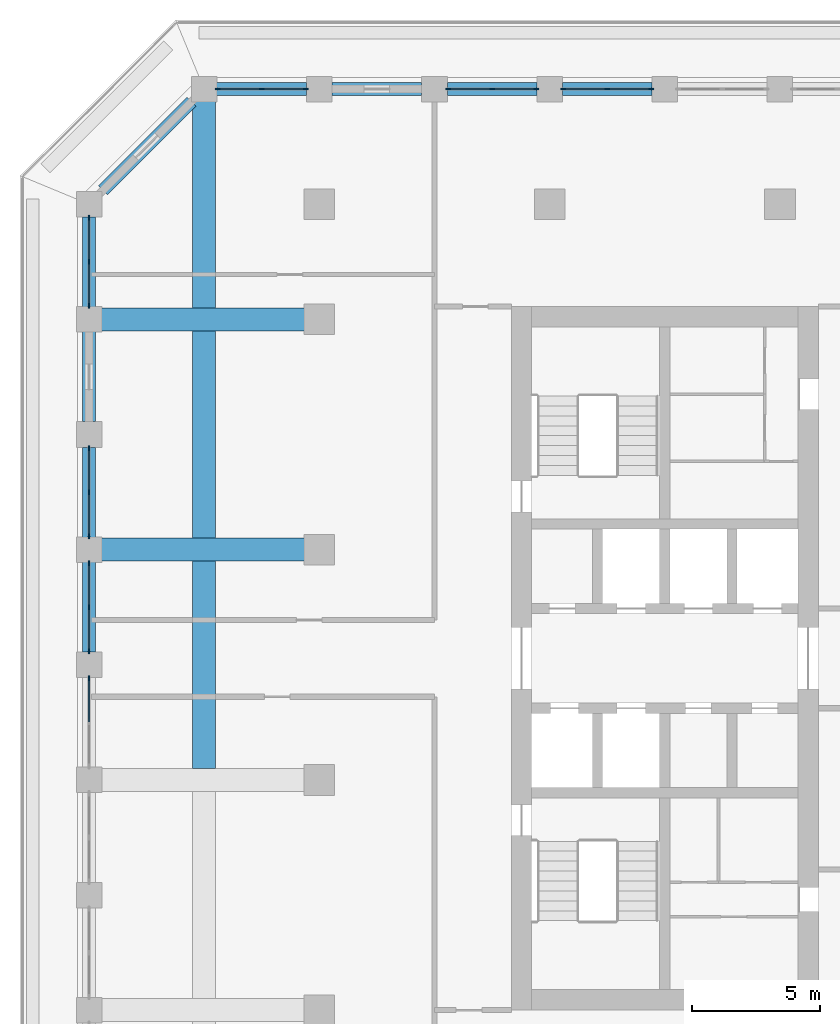
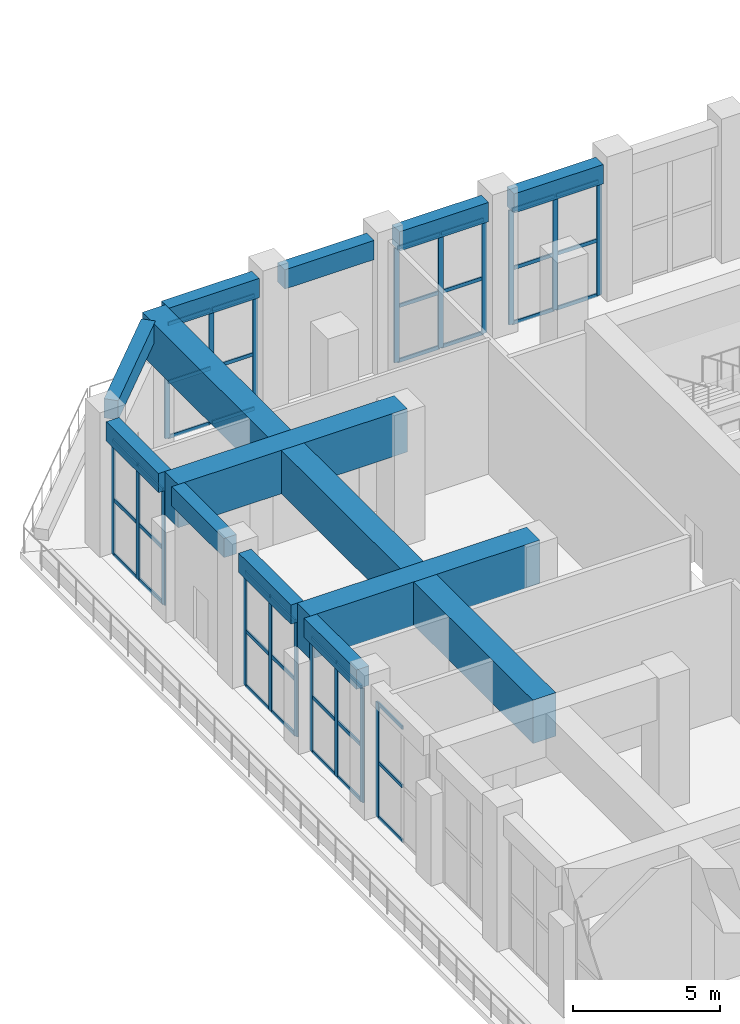
# One storey, part 6 of 25: 58 members, 14 beams, 7 elements without a shape of their own.
"""IFC4 building model written with IfcOpenShell, lengths in metres."""

from ifc_helpers import new_model, si_unit, direction, frame, origin, origin_2d, place, context, subcontext, project, spatial, rectangle, extrude, material, material_profile, profile_set, type_object, element, aggregate, save


model = new_model("IFC4")

# Units and contexts
model_context = context("Model", 3, precision=1e-05, world=origin(), true_north=direction((0.0, 1.0)))
body_context = subcontext(model_context, "Body", "Model", "MODEL_VIEW")
ifc_project = project(units=[si_unit("LENGTHUNIT", "METRE"), si_unit("AREAUNIT", "SQUARE_METRE"), si_unit("VOLUMEUNIT", "CUBIC_METRE"), si_unit("PLANEANGLEUNIT", "RADIAN"), si_unit("MASSUNIT", "GRAM", prefix="KILO")], contexts=[model_context])

# Site, building, storey
site_placement = place(None, origin())
site = spatial("IfcSite", under=ifc_project, at=site_placement, CompositionType="ELEMENT")
building_placement = place(site_placement, origin())
building = spatial("IfcBuilding", under=site, at=building_placement, Name="Corbel Stack Research Tower", CompositionType="ELEMENT")
storey_placement = place(building_placement, frame((0.0, 0.0, 185.5)))
storey = spatial("IfcBuildingStorey", under=building, at=storey_placement, Name="L42", CompositionType="ELEMENT", Elevation=185.5)

# Curtain wall, members
ifc_material_1 = material(Name="Aluminium frame, clear glass", Category="aluminium")
curtain_wall_type = type_object("IfcCurtainWallType", Name="Upper amenity floor curtain wall CW3", PredefinedType="NOTDEFINED", material=ifc_material_1)
curtain_wall_1_placement = place(storey_placement, origin())
curtain_wall_1 = element("IfcCurtainWall", 1, at=curtain_wall_1_placement, inside=storey, type_object=curtain_wall_type, Name="Curtain wall CW3 L42 N07", PredefinedType="NOTDEFINED")
ifc_material_2 = material(Name="Aluminium mullion", Category="aluminium")
ifc_material_profile_1 = material_profile(ifc_material_2, rectangle(XDim=0.06005859375, YDim=0.199951171875, at=origin_2d()), Name="Mullion 60 x 200")
ifc_profile_set_1 = profile_set([ifc_material_profile_1], Name="Aluminium mullion")
member_type_1 = type_object("IfcMemberType", Name="Curtain wall mullion 60 x 200", PredefinedType="MULLION", material=ifc_profile_set_1)
member_1_placement = place(storey_placement, frame((-5.030029296875, 27.0, 0.0), z_axis=(0.0, 0.0, 1.0), x_axis=(0.0, -1.0, 0.0)))
member_1 = element("IfcMember", 2, at=member_1_placement, type_object=member_type_1, Name="CW3 mullion 1", PredefinedType="MULLION", context=body_context, shape_type="SweptSolid", body=[
    extrude(rectangle(XDim=0.06005859375, YDim=0.199951171875, at=origin_2d()), origin(), (0.0, 0.0, 1.0), 4.75),
])
member_2_placement = place(storey_placement, frame((-6.75, 27.0, 0.0), z_axis=(0.0, 0.0, 1.0), x_axis=(0.0, -1.0, 0.0)))
member_2 = element("IfcMember", 3, at=member_2_placement, type_object=member_type_1, Name="CW3 mullion 2", PredefinedType="MULLION", context=body_context, shape_type="SweptSolid", body=[
    extrude(rectangle(XDim=0.06005859375, YDim=0.199951171875, at=origin_2d()), origin(), (0.0, 0.0, 1.0), 4.75),
])
member_3_placement = place(storey_placement, frame((-8.469970703125, 27.0, 0.0), z_axis=(0.0, 0.0, 1.0), x_axis=(0.0, -1.0, 0.0)))
member_3 = element("IfcMember", 4, at=member_3_placement, type_object=member_type_1, Name="CW3 mullion 3", PredefinedType="MULLION", context=body_context, shape_type="SweptSolid", body=[
    extrude(rectangle(XDim=0.06005859375, YDim=0.199951171875, at=origin_2d()), origin(), (0.0, 0.0, 1.0), 4.75),
])

curtain_wall_2_placement = place(storey_placement, origin())
curtain_wall_2 = element("IfcCurtainWall", 5, at=curtain_wall_2_placement, inside=storey, type_object=curtain_wall_type, Name="Curtain wall CW3 L42 N08", PredefinedType="NOTDEFINED")
member_4_placement = place(storey_placement, frame((-9.530029296875, 27.0, 0.0), z_axis=(0.0, 0.0, 1.0), x_axis=(0.0, -1.0, 0.0)))
member_4 = element("IfcMember", 6, at=member_4_placement, type_object=member_type_1, Name="CW3 mullion 1", PredefinedType="MULLION", context=body_context, shape_type="SweptSolid", body=[
    extrude(rectangle(XDim=0.06005859375, YDim=0.199951171875, at=origin_2d()), origin(), (0.0, 0.0, 1.0), 4.75),
])
member_5_placement = place(storey_placement, frame((-11.25, 27.0, 0.0), z_axis=(0.0, 0.0, 1.0), x_axis=(0.0, -1.0, 0.0)))
member_5 = element("IfcMember", 7, at=member_5_placement, type_object=member_type_1, Name="CW3 mullion 2", PredefinedType="MULLION", context=body_context, shape_type="SweptSolid", body=[
    extrude(rectangle(XDim=0.06005859375, YDim=0.199951171875, at=origin_2d()), origin(), (0.0, 0.0, 1.0), 4.75),
])
member_6_placement = place(storey_placement, frame((-12.969970703125, 27.0, 0.0), z_axis=(0.0, 0.0, 1.0), x_axis=(0.0, -1.0, 0.0)))
member_6 = element("IfcMember", 8, at=member_6_placement, type_object=member_type_1, Name="CW3 mullion 3", PredefinedType="MULLION", context=body_context, shape_type="SweptSolid", body=[
    extrude(rectangle(XDim=0.06005859375, YDim=0.199951171875, at=origin_2d()), origin(), (0.0, 0.0, 1.0), 4.75),
])

curtain_wall_3_placement = place(storey_placement, origin())
curtain_wall_3 = element("IfcCurtainWall", 9, at=curtain_wall_3_placement, inside=storey, type_object=curtain_wall_type, Name="Curtain wall CW3 L42 N10", PredefinedType="NOTDEFINED")
member_7_placement = place(storey_placement, frame((-18.530029296875, 27.0, 0.0), z_axis=(0.0, 0.0, 1.0), x_axis=(0.0, -1.0, 0.0)))
member_7 = element("IfcMember", 10, at=member_7_placement, type_object=member_type_1, Name="CW3 mullion 1", PredefinedType="MULLION", context=body_context, shape_type="SweptSolid", body=[
    extrude(rectangle(XDim=0.06005859375, YDim=0.199951171875, at=origin_2d()), origin(), (0.0, 0.0, 1.0), 4.75),
])
member_8_placement = place(storey_placement, frame((-20.25, 27.0, 0.0), z_axis=(0.0, 0.0, 1.0), x_axis=(0.0, -1.0, 0.0)))
member_8 = element("IfcMember", 11, at=member_8_placement, type_object=member_type_1, Name="CW3 mullion 2", PredefinedType="MULLION", context=body_context, shape_type="SweptSolid", body=[
    extrude(rectangle(XDim=0.06005859375, YDim=0.199951171875, at=origin_2d()), origin(), (0.0, 0.0, 1.0), 4.75),
])
member_9_placement = place(storey_placement, frame((-21.969970703125, 27.0, 0.0), z_axis=(0.0, 0.0, 1.0), x_axis=(0.0, -1.0, 0.0)))
member_9 = element("IfcMember", 12, at=member_9_placement, type_object=member_type_1, Name="CW3 mullion 3", PredefinedType="MULLION", context=body_context, shape_type="SweptSolid", body=[
    extrude(rectangle(XDim=0.06005859375, YDim=0.199951171875, at=origin_2d()), origin(), (0.0, 0.0, 1.0), 4.75),
])

curtain_wall_4_placement = place(storey_placement, origin())
curtain_wall_4 = element("IfcCurtainWall", 13, at=curtain_wall_4_placement, inside=storey, type_object=curtain_wall_type, Name="Curtain wall CW3 L42 W01", PredefinedType="NOTDEFINED")
member_10_placement = place(storey_placement, frame((-27.0, 21.969970703125, 0.0), z_axis=(0.0, 0.0, 1.0), x_axis=(1.0, 0.0, 0.0)))
member_10 = element("IfcMember", 14, at=member_10_placement, type_object=member_type_1, Name="CW3 mullion 1", PredefinedType="MULLION", context=body_context, shape_type="SweptSolid", body=[
    extrude(rectangle(XDim=0.06005859375, YDim=0.199951171875, at=origin_2d()), origin(), (0.0, 0.0, 1.0), 4.75),
])
member_11_placement = place(storey_placement, frame((-27.0, 20.25, 0.0), z_axis=(0.0, 0.0, 1.0), x_axis=(1.0, 0.0, 0.0)))
member_11 = element("IfcMember", 15, at=member_11_placement, type_object=member_type_1, Name="CW3 mullion 2", PredefinedType="MULLION", context=body_context, shape_type="SweptSolid", body=[
    extrude(rectangle(XDim=0.06005859375, YDim=0.199951171875, at=origin_2d()), origin(), (0.0, 0.0, 1.0), 4.75),
])
member_12_placement = place(storey_placement, frame((-27.0, 18.530029296875, 0.0), z_axis=(0.0, 0.0, 1.0), x_axis=(1.0, 0.0, 0.0)))
member_12 = element("IfcMember", 16, at=member_12_placement, type_object=member_type_1, Name="CW3 mullion 3", PredefinedType="MULLION", context=body_context, shape_type="SweptSolid", body=[
    extrude(rectangle(XDim=0.06005859375, YDim=0.199951171875, at=origin_2d()), origin(), (0.0, 0.0, 1.0), 4.75),
])

curtain_wall_5_placement = place(storey_placement, origin())
curtain_wall_5 = element("IfcCurtainWall", 17, at=curtain_wall_5_placement, inside=storey, type_object=curtain_wall_type, Name="Curtain wall CW3 L42 W03", PredefinedType="NOTDEFINED")
member_13_placement = place(storey_placement, frame((-27.0, 12.969970703125, 0.0), z_axis=(0.0, 0.0, 1.0), x_axis=(1.0, 0.0, 0.0)))
member_13 = element("IfcMember", 18, at=member_13_placement, type_object=member_type_1, Name="CW3 mullion 1", PredefinedType="MULLION", context=body_context, shape_type="SweptSolid", body=[
    extrude(rectangle(XDim=0.06005859375, YDim=0.199951171875, at=origin_2d()), origin(), (0.0, 0.0, 1.0), 4.75),
])
member_14_placement = place(storey_placement, frame((-27.0, 11.25, 0.0), z_axis=(0.0, 0.0, 1.0), x_axis=(1.0, 0.0, 0.0)))
member_14 = element("IfcMember", 19, at=member_14_placement, type_object=member_type_1, Name="CW3 mullion 2", PredefinedType="MULLION", context=body_context, shape_type="SweptSolid", body=[
    extrude(rectangle(XDim=0.06005859375, YDim=0.199951171875, at=origin_2d()), origin(), (0.0, 0.0, 1.0), 4.75),
])
member_15_placement = place(storey_placement, frame((-27.0, 9.530029296875, 0.0), z_axis=(0.0, 0.0, 1.0), x_axis=(1.0, 0.0, 0.0)))
member_15 = element("IfcMember", 20, at=member_15_placement, type_object=member_type_1, Name="CW3 mullion 3", PredefinedType="MULLION", context=body_context, shape_type="SweptSolid", body=[
    extrude(rectangle(XDim=0.06005859375, YDim=0.199951171875, at=origin_2d()), origin(), (0.0, 0.0, 1.0), 4.75),
])

curtain_wall_6_placement = place(storey_placement, origin())
curtain_wall_6 = element("IfcCurtainWall", 21, at=curtain_wall_6_placement, inside=storey, type_object=curtain_wall_type, Name="Curtain wall CW3 L42 W04", PredefinedType="NOTDEFINED")
member_16_placement = place(storey_placement, frame((-27.0, 8.469970703125, 0.0), z_axis=(0.0, 0.0, 1.0), x_axis=(1.0, 0.0, 0.0)))
member_16 = element("IfcMember", 22, at=member_16_placement, type_object=member_type_1, Name="CW3 mullion 1", PredefinedType="MULLION", context=body_context, shape_type="SweptSolid", body=[
    extrude(rectangle(XDim=0.06005859375, YDim=0.199951171875, at=origin_2d()), origin(), (0.0, 0.0, 1.0), 4.75),
])
member_17_placement = place(storey_placement, frame((-27.0, 6.75, 0.0), z_axis=(0.0, 0.0, 1.0), x_axis=(1.0, 0.0, 0.0)))
member_17 = element("IfcMember", 23, at=member_17_placement, type_object=member_type_1, Name="CW3 mullion 2", PredefinedType="MULLION", context=body_context, shape_type="SweptSolid", body=[
    extrude(rectangle(XDim=0.06005859375, YDim=0.199951171875, at=origin_2d()), origin(), (0.0, 0.0, 1.0), 4.75),
])
member_18_placement = place(storey_placement, frame((-27.0, 5.030029296875, 0.0), z_axis=(0.0, 0.0, 1.0), x_axis=(1.0, 0.0, 0.0)))
member_18 = element("IfcMember", 24, at=member_18_placement, type_object=member_type_1, Name="CW3 mullion 3", PredefinedType="MULLION", context=body_context, shape_type="SweptSolid", body=[
    extrude(rectangle(XDim=0.06005859375, YDim=0.199951171875, at=origin_2d()), origin(), (0.0, 0.0, 1.0), 4.75),
])

# Curtain wall, member
curtain_wall_7_placement = place(storey_placement, origin())
curtain_wall_7 = element("IfcCurtainWall", 25, at=curtain_wall_7_placement, inside=storey, type_object=curtain_wall_type, Name="Curtain wall CW3 L42 W05", PredefinedType="NOTDEFINED")
member_19_placement = place(storey_placement, frame((-27.0, 3.969970703125, 0.0), z_axis=(0.0, 0.0, 1.0), x_axis=(1.0, 0.0, 0.0)))
member_19 = element("IfcMember", 26, at=member_19_placement, type_object=member_type_1, Name="CW3 mullion 1", PredefinedType="MULLION", context=body_context, shape_type="SweptSolid", body=[
    extrude(rectangle(XDim=0.06005859375, YDim=0.199951171875, at=origin_2d()), origin(), (0.0, 0.0, 1.0), 4.75),
])

# Member
ifc_material_3 = material(Name="Aluminium transom", Category="aluminium")
ifc_material_profile_2 = material_profile(ifc_material_3, rectangle(XDim=0.06005859375, YDim=0.14990234375, at=origin_2d()), Name="Transom 60 x 150")
ifc_profile_set_2 = profile_set([ifc_material_profile_2], Name="Aluminium transom")
member_type_2 = type_object("IfcMemberType", Name="Curtain wall transom 60 x 150", PredefinedType="USERDEFINED", material=ifc_profile_set_2)
member_20_placement = place(storey_placement, frame((-5.06005859375, 27.0, 0.030029296875), z_axis=(-1.0, 0.0, 0.0), x_axis=(0.0, -1.0, 0.0)))
member_20 = element("IfcMember", 27, at=member_20_placement, type_object=member_type_2, Name="CW3 transom 1.1", ObjectType="TRANSOM", PredefinedType="USERDEFINED", context=body_context, shape_type="SweptSolid", body=[
    extrude(rectangle(XDim=0.06005859375, YDim=0.14990234375, at=origin_2d()), origin(), (0.0, 0.0, 1.0), 1.659912109375),
])

member_21_placement = place(storey_placement, frame((-5.06005859375, 27.0, 2.300048828125), z_axis=(-1.0, 0.0, 0.0), x_axis=(0.0, -1.0, 0.0)))
member_21 = element("IfcMember", 28, at=member_21_placement, type_object=member_type_2, Name="CW3 transom 1.2", ObjectType="TRANSOM", PredefinedType="USERDEFINED", context=body_context, shape_type="SweptSolid", body=[
    extrude(rectangle(XDim=0.06005859375, YDim=0.14990234375, at=origin_2d()), origin(), (0.0, 0.0, 1.0), 1.659912109375),
])

member_22_placement = place(storey_placement, frame((-5.06005859375, 27.0, 4.719970703125), z_axis=(-1.0, 0.0, 0.0), x_axis=(0.0, -1.0, 0.0)))
member_22 = element("IfcMember", 29, at=member_22_placement, type_object=member_type_2, Name="CW3 transom 1.3", ObjectType="TRANSOM", PredefinedType="USERDEFINED", context=body_context, shape_type="SweptSolid", body=[
    extrude(rectangle(XDim=0.06005859375, YDim=0.14990234375, at=origin_2d()), origin(), (0.0, 0.0, 1.0), 1.659912109375),
])

member_23_placement = place(storey_placement, frame((-6.780029296875, 27.0, 0.030029296875), z_axis=(-1.0, 0.0, 0.0), x_axis=(0.0, -1.0, 0.0)))
member_23 = element("IfcMember", 30, at=member_23_placement, type_object=member_type_2, Name="CW3 transom 2.1", ObjectType="TRANSOM", PredefinedType="USERDEFINED", context=body_context, shape_type="SweptSolid", body=[
    extrude(rectangle(XDim=0.06005859375, YDim=0.14990234375, at=origin_2d()), origin(), (0.0, 0.0, 1.0), 1.659912109375),
])

member_24_placement = place(storey_placement, frame((-6.780029296875, 27.0, 2.300048828125), z_axis=(-1.0, 0.0, 0.0), x_axis=(0.0, -1.0, 0.0)))
member_24 = element("IfcMember", 31, at=member_24_placement, type_object=member_type_2, Name="CW3 transom 2.2", ObjectType="TRANSOM", PredefinedType="USERDEFINED", context=body_context, shape_type="SweptSolid", body=[
    extrude(rectangle(XDim=0.06005859375, YDim=0.14990234375, at=origin_2d()), origin(), (0.0, 0.0, 1.0), 1.659912109375),
])

member_25_placement = place(storey_placement, frame((-6.780029296875, 27.0, 4.719970703125), z_axis=(-1.0, 0.0, 0.0), x_axis=(0.0, -1.0, 0.0)))
member_25 = element("IfcMember", 32, at=member_25_placement, type_object=member_type_2, Name="CW3 transom 2.3", ObjectType="TRANSOM", PredefinedType="USERDEFINED", context=body_context, shape_type="SweptSolid", body=[
    extrude(rectangle(XDim=0.06005859375, YDim=0.14990234375, at=origin_2d()), origin(), (0.0, 0.0, 1.0), 1.659912109375),
])

aggregate(curtain_wall_1, [member_1, member_2, member_3, member_20, member_21, member_22, member_23, member_24, member_25])

member_26_placement = place(storey_placement, frame((-9.56005859375, 27.0, 0.030029296875), z_axis=(-1.0, 0.0, 0.0), x_axis=(0.0, -1.0, 0.0)))
member_26 = element("IfcMember", 33, at=member_26_placement, type_object=member_type_2, Name="CW3 transom 1.1", ObjectType="TRANSOM", PredefinedType="USERDEFINED", context=body_context, shape_type="SweptSolid", body=[
    extrude(rectangle(XDim=0.06005859375, YDim=0.14990234375, at=origin_2d()), origin(), (0.0, 0.0, 1.0), 1.659912109375),
])

member_27_placement = place(storey_placement, frame((-9.56005859375, 27.0, 2.300048828125), z_axis=(-1.0, 0.0, 0.0), x_axis=(0.0, -1.0, 0.0)))
member_27 = element("IfcMember", 34, at=member_27_placement, type_object=member_type_2, Name="CW3 transom 1.2", ObjectType="TRANSOM", PredefinedType="USERDEFINED", context=body_context, shape_type="SweptSolid", body=[
    extrude(rectangle(XDim=0.06005859375, YDim=0.14990234375, at=origin_2d()), origin(), (0.0, 0.0, 1.0), 1.659912109375),
])

member_28_placement = place(storey_placement, frame((-9.56005859375, 27.0, 4.719970703125), z_axis=(-1.0, 0.0, 0.0), x_axis=(0.0, -1.0, 0.0)))
member_28 = element("IfcMember", 35, at=member_28_placement, type_object=member_type_2, Name="CW3 transom 1.3", ObjectType="TRANSOM", PredefinedType="USERDEFINED", context=body_context, shape_type="SweptSolid", body=[
    extrude(rectangle(XDim=0.06005859375, YDim=0.14990234375, at=origin_2d()), origin(), (0.0, 0.0, 1.0), 1.659912109375),
])

member_29_placement = place(storey_placement, frame((-11.280029296875, 27.0, 0.030029296875), z_axis=(-1.0, 0.0, 0.0), x_axis=(0.0, -1.0, 0.0)))
member_29 = element("IfcMember", 36, at=member_29_placement, type_object=member_type_2, Name="CW3 transom 2.1", ObjectType="TRANSOM", PredefinedType="USERDEFINED", context=body_context, shape_type="SweptSolid", body=[
    extrude(rectangle(XDim=0.06005859375, YDim=0.14990234375, at=origin_2d()), origin(), (0.0, 0.0, 1.0), 1.659912109375),
])

member_30_placement = place(storey_placement, frame((-11.280029296875, 27.0, 2.300048828125), z_axis=(-1.0, 0.0, 0.0), x_axis=(0.0, -1.0, 0.0)))
member_30 = element("IfcMember", 37, at=member_30_placement, type_object=member_type_2, Name="CW3 transom 2.2", ObjectType="TRANSOM", PredefinedType="USERDEFINED", context=body_context, shape_type="SweptSolid", body=[
    extrude(rectangle(XDim=0.06005859375, YDim=0.14990234375, at=origin_2d()), origin(), (0.0, 0.0, 1.0), 1.659912109375),
])

member_31_placement = place(storey_placement, frame((-11.280029296875, 27.0, 4.719970703125), z_axis=(-1.0, 0.0, 0.0), x_axis=(0.0, -1.0, 0.0)))
member_31 = element("IfcMember", 38, at=member_31_placement, type_object=member_type_2, Name="CW3 transom 2.3", ObjectType="TRANSOM", PredefinedType="USERDEFINED", context=body_context, shape_type="SweptSolid", body=[
    extrude(rectangle(XDim=0.06005859375, YDim=0.14990234375, at=origin_2d()), origin(), (0.0, 0.0, 1.0), 1.659912109375),
])

aggregate(curtain_wall_2, [member_4, member_5, member_6, member_26, member_27, member_28, member_29, member_30, member_31])

member_32_placement = place(storey_placement, frame((-18.56005859375, 27.0, 0.030029296875), z_axis=(-1.0, 0.0, 0.0), x_axis=(0.0, -1.0, 0.0)))
member_32 = element("IfcMember", 39, at=member_32_placement, type_object=member_type_2, Name="CW3 transom 1.1", ObjectType="TRANSOM", PredefinedType="USERDEFINED", context=body_context, shape_type="SweptSolid", body=[
    extrude(rectangle(XDim=0.06005859375, YDim=0.14990234375, at=origin_2d()), origin(), (0.0, 0.0, 1.0), 1.659912109375),
])

member_33_placement = place(storey_placement, frame((-18.56005859375, 27.0, 2.300048828125), z_axis=(-1.0, 0.0, 0.0), x_axis=(0.0, -1.0, 0.0)))
member_33 = element("IfcMember", 40, at=member_33_placement, type_object=member_type_2, Name="CW3 transom 1.2", ObjectType="TRANSOM", PredefinedType="USERDEFINED", context=body_context, shape_type="SweptSolid", body=[
    extrude(rectangle(XDim=0.06005859375, YDim=0.14990234375, at=origin_2d()), origin(), (0.0, 0.0, 1.0), 1.659912109375),
])

member_34_placement = place(storey_placement, frame((-18.56005859375, 27.0, 4.719970703125), z_axis=(-1.0, 0.0, 0.0), x_axis=(0.0, -1.0, 0.0)))
member_34 = element("IfcMember", 41, at=member_34_placement, type_object=member_type_2, Name="CW3 transom 1.3", ObjectType="TRANSOM", PredefinedType="USERDEFINED", context=body_context, shape_type="SweptSolid", body=[
    extrude(rectangle(XDim=0.06005859375, YDim=0.14990234375, at=origin_2d()), origin(), (0.0, 0.0, 1.0), 1.659912109375),
])

member_35_placement = place(storey_placement, frame((-20.280029296875, 27.0, 0.030029296875), z_axis=(-1.0, 0.0, 0.0), x_axis=(0.0, -1.0, 0.0)))
member_35 = element("IfcMember", 42, at=member_35_placement, type_object=member_type_2, Name="CW3 transom 2.1", ObjectType="TRANSOM", PredefinedType="USERDEFINED", context=body_context, shape_type="SweptSolid", body=[
    extrude(rectangle(XDim=0.06005859375, YDim=0.14990234375, at=origin_2d()), origin(), (0.0, 0.0, 1.0), 1.659912109375),
])

member_36_placement = place(storey_placement, frame((-20.280029296875, 27.0, 2.300048828125), z_axis=(-1.0, 0.0, 0.0), x_axis=(0.0, -1.0, 0.0)))
member_36 = element("IfcMember", 43, at=member_36_placement, type_object=member_type_2, Name="CW3 transom 2.2", ObjectType="TRANSOM", PredefinedType="USERDEFINED", context=body_context, shape_type="SweptSolid", body=[
    extrude(rectangle(XDim=0.06005859375, YDim=0.14990234375, at=origin_2d()), origin(), (0.0, 0.0, 1.0), 1.659912109375),
])

member_37_placement = place(storey_placement, frame((-20.280029296875, 27.0, 4.719970703125), z_axis=(-1.0, 0.0, 0.0), x_axis=(0.0, -1.0, 0.0)))
member_37 = element("IfcMember", 44, at=member_37_placement, type_object=member_type_2, Name="CW3 transom 2.3", ObjectType="TRANSOM", PredefinedType="USERDEFINED", context=body_context, shape_type="SweptSolid", body=[
    extrude(rectangle(XDim=0.06005859375, YDim=0.14990234375, at=origin_2d()), origin(), (0.0, 0.0, 1.0), 1.659912109375),
])

aggregate(curtain_wall_3, [member_7, member_8, member_9, member_32, member_33, member_34, member_35, member_36, member_37])

member_38_placement = place(storey_placement, frame((-27.0, 21.93994140625, 0.030029296875), z_axis=(0.0, -1.0, 0.0), x_axis=(1.0, 0.0, 0.0)))
member_38 = element("IfcMember", 45, at=member_38_placement, type_object=member_type_2, Name="CW3 transom 1.1", ObjectType="TRANSOM", PredefinedType="USERDEFINED", context=body_context, shape_type="SweptSolid", body=[
    extrude(rectangle(XDim=0.06005859375, YDim=0.14990234375, at=origin_2d()), origin(), (0.0, 0.0, 1.0), 1.659912109375),
])

member_39_placement = place(storey_placement, frame((-27.0, 21.93994140625, 2.300048828125), z_axis=(0.0, -1.0, 0.0), x_axis=(1.0, 0.0, 0.0)))
member_39 = element("IfcMember", 46, at=member_39_placement, type_object=member_type_2, Name="CW3 transom 1.2", ObjectType="TRANSOM", PredefinedType="USERDEFINED", context=body_context, shape_type="SweptSolid", body=[
    extrude(rectangle(XDim=0.06005859375, YDim=0.14990234375, at=origin_2d()), origin(), (0.0, 0.0, 1.0), 1.659912109375),
])

member_40_placement = place(storey_placement, frame((-27.0, 21.93994140625, 4.719970703125), z_axis=(0.0, -1.0, 0.0), x_axis=(1.0, 0.0, 0.0)))
member_40 = element("IfcMember", 47, at=member_40_placement, type_object=member_type_2, Name="CW3 transom 1.3", ObjectType="TRANSOM", PredefinedType="USERDEFINED", context=body_context, shape_type="SweptSolid", body=[
    extrude(rectangle(XDim=0.06005859375, YDim=0.14990234375, at=origin_2d()), origin(), (0.0, 0.0, 1.0), 1.659912109375),
])

member_41_placement = place(storey_placement, frame((-27.0, 20.219970703125, 0.030029296875), z_axis=(0.0, -1.0, 0.0), x_axis=(1.0, 0.0, 0.0)))
member_41 = element("IfcMember", 48, at=member_41_placement, type_object=member_type_2, Name="CW3 transom 2.1", ObjectType="TRANSOM", PredefinedType="USERDEFINED", context=body_context, shape_type="SweptSolid", body=[
    extrude(rectangle(XDim=0.06005859375, YDim=0.14990234375, at=origin_2d()), origin(), (0.0, 0.0, 1.0), 1.659912109375),
])

member_42_placement = place(storey_placement, frame((-27.0, 20.219970703125, 2.300048828125), z_axis=(0.0, -1.0, 0.0), x_axis=(1.0, 0.0, 0.0)))
member_42 = element("IfcMember", 49, at=member_42_placement, type_object=member_type_2, Name="CW3 transom 2.2", ObjectType="TRANSOM", PredefinedType="USERDEFINED", context=body_context, shape_type="SweptSolid", body=[
    extrude(rectangle(XDim=0.06005859375, YDim=0.14990234375, at=origin_2d()), origin(), (0.0, 0.0, 1.0), 1.659912109375),
])

member_43_placement = place(storey_placement, frame((-27.0, 20.219970703125, 4.719970703125), z_axis=(0.0, -1.0, 0.0), x_axis=(1.0, 0.0, 0.0)))
member_43 = element("IfcMember", 50, at=member_43_placement, type_object=member_type_2, Name="CW3 transom 2.3", ObjectType="TRANSOM", PredefinedType="USERDEFINED", context=body_context, shape_type="SweptSolid", body=[
    extrude(rectangle(XDim=0.06005859375, YDim=0.14990234375, at=origin_2d()), origin(), (0.0, 0.0, 1.0), 1.659912109375),
])

aggregate(curtain_wall_4, [member_10, member_11, member_12, member_38, member_39, member_40, member_41, member_42, member_43])

member_44_placement = place(storey_placement, frame((-27.0, 12.93994140625, 0.030029296875), z_axis=(0.0, -1.0, 0.0), x_axis=(1.0, 0.0, 0.0)))
member_44 = element("IfcMember", 51, at=member_44_placement, type_object=member_type_2, Name="CW3 transom 1.1", ObjectType="TRANSOM", PredefinedType="USERDEFINED", context=body_context, shape_type="SweptSolid", body=[
    extrude(rectangle(XDim=0.06005859375, YDim=0.14990234375, at=origin_2d()), origin(), (0.0, 0.0, 1.0), 1.659912109375),
])

member_45_placement = place(storey_placement, frame((-27.0, 12.93994140625, 2.300048828125), z_axis=(0.0, -1.0, 0.0), x_axis=(1.0, 0.0, 0.0)))
member_45 = element("IfcMember", 52, at=member_45_placement, type_object=member_type_2, Name="CW3 transom 1.2", ObjectType="TRANSOM", PredefinedType="USERDEFINED", context=body_context, shape_type="SweptSolid", body=[
    extrude(rectangle(XDim=0.06005859375, YDim=0.14990234375, at=origin_2d()), origin(), (0.0, 0.0, 1.0), 1.659912109375),
])

member_46_placement = place(storey_placement, frame((-27.0, 12.93994140625, 4.719970703125), z_axis=(0.0, -1.0, 0.0), x_axis=(1.0, 0.0, 0.0)))
member_46 = element("IfcMember", 53, at=member_46_placement, type_object=member_type_2, Name="CW3 transom 1.3", ObjectType="TRANSOM", PredefinedType="USERDEFINED", context=body_context, shape_type="SweptSolid", body=[
    extrude(rectangle(XDim=0.06005859375, YDim=0.14990234375, at=origin_2d()), origin(), (0.0, 0.0, 1.0), 1.659912109375),
])

member_47_placement = place(storey_placement, frame((-27.0, 11.219970703125, 0.030029296875), z_axis=(0.0, -1.0, 0.0), x_axis=(1.0, 0.0, 0.0)))
member_47 = element("IfcMember", 54, at=member_47_placement, type_object=member_type_2, Name="CW3 transom 2.1", ObjectType="TRANSOM", PredefinedType="USERDEFINED", context=body_context, shape_type="SweptSolid", body=[
    extrude(rectangle(XDim=0.06005859375, YDim=0.14990234375, at=origin_2d()), origin(), (0.0, 0.0, 1.0), 1.659912109375),
])

member_48_placement = place(storey_placement, frame((-27.0, 11.219970703125, 2.300048828125), z_axis=(0.0, -1.0, 0.0), x_axis=(1.0, 0.0, 0.0)))
member_48 = element("IfcMember", 55, at=member_48_placement, type_object=member_type_2, Name="CW3 transom 2.2", ObjectType="TRANSOM", PredefinedType="USERDEFINED", context=body_context, shape_type="SweptSolid", body=[
    extrude(rectangle(XDim=0.06005859375, YDim=0.14990234375, at=origin_2d()), origin(), (0.0, 0.0, 1.0), 1.659912109375),
])

member_49_placement = place(storey_placement, frame((-27.0, 11.219970703125, 4.719970703125), z_axis=(0.0, -1.0, 0.0), x_axis=(1.0, 0.0, 0.0)))
member_49 = element("IfcMember", 56, at=member_49_placement, type_object=member_type_2, Name="CW3 transom 2.3", ObjectType="TRANSOM", PredefinedType="USERDEFINED", context=body_context, shape_type="SweptSolid", body=[
    extrude(rectangle(XDim=0.06005859375, YDim=0.14990234375, at=origin_2d()), origin(), (0.0, 0.0, 1.0), 1.659912109375),
])

aggregate(curtain_wall_5, [member_13, member_14, member_15, member_44, member_45, member_46, member_47, member_48, member_49])

member_50_placement = place(storey_placement, frame((-27.0, 8.43994140625, 0.030029296875), z_axis=(0.0, -1.0, 0.0), x_axis=(1.0, 0.0, 0.0)))
member_50 = element("IfcMember", 57, at=member_50_placement, type_object=member_type_2, Name="CW3 transom 1.1", ObjectType="TRANSOM", PredefinedType="USERDEFINED", context=body_context, shape_type="SweptSolid", body=[
    extrude(rectangle(XDim=0.06005859375, YDim=0.14990234375, at=origin_2d()), origin(), (0.0, 0.0, 1.0), 1.659912109375),
])

member_51_placement = place(storey_placement, frame((-27.0, 8.43994140625, 2.300048828125), z_axis=(0.0, -1.0, 0.0), x_axis=(1.0, 0.0, 0.0)))
member_51 = element("IfcMember", 58, at=member_51_placement, type_object=member_type_2, Name="CW3 transom 1.2", ObjectType="TRANSOM", PredefinedType="USERDEFINED", context=body_context, shape_type="SweptSolid", body=[
    extrude(rectangle(XDim=0.06005859375, YDim=0.14990234375, at=origin_2d()), origin(), (0.0, 0.0, 1.0), 1.659912109375),
])

member_52_placement = place(storey_placement, frame((-27.0, 8.43994140625, 4.719970703125), z_axis=(0.0, -1.0, 0.0), x_axis=(1.0, 0.0, 0.0)))
member_52 = element("IfcMember", 59, at=member_52_placement, type_object=member_type_2, Name="CW3 transom 1.3", ObjectType="TRANSOM", PredefinedType="USERDEFINED", context=body_context, shape_type="SweptSolid", body=[
    extrude(rectangle(XDim=0.06005859375, YDim=0.14990234375, at=origin_2d()), origin(), (0.0, 0.0, 1.0), 1.659912109375),
])

member_53_placement = place(storey_placement, frame((-27.0, 6.719970703125, 0.030029296875), z_axis=(0.0, -1.0, 0.0), x_axis=(1.0, 0.0, 0.0)))
member_53 = element("IfcMember", 60, at=member_53_placement, type_object=member_type_2, Name="CW3 transom 2.1", ObjectType="TRANSOM", PredefinedType="USERDEFINED", context=body_context, shape_type="SweptSolid", body=[
    extrude(rectangle(XDim=0.06005859375, YDim=0.14990234375, at=origin_2d()), origin(), (0.0, 0.0, 1.0), 1.659912109375),
])

member_54_placement = place(storey_placement, frame((-27.0, 6.719970703125, 2.300048828125), z_axis=(0.0, -1.0, 0.0), x_axis=(1.0, 0.0, 0.0)))
member_54 = element("IfcMember", 61, at=member_54_placement, type_object=member_type_2, Name="CW3 transom 2.2", ObjectType="TRANSOM", PredefinedType="USERDEFINED", context=body_context, shape_type="SweptSolid", body=[
    extrude(rectangle(XDim=0.06005859375, YDim=0.14990234375, at=origin_2d()), origin(), (0.0, 0.0, 1.0), 1.659912109375),
])

member_55_placement = place(storey_placement, frame((-27.0, 6.719970703125, 4.719970703125), z_axis=(0.0, -1.0, 0.0), x_axis=(1.0, 0.0, 0.0)))
member_55 = element("IfcMember", 62, at=member_55_placement, type_object=member_type_2, Name="CW3 transom 2.3", ObjectType="TRANSOM", PredefinedType="USERDEFINED", context=body_context, shape_type="SweptSolid", body=[
    extrude(rectangle(XDim=0.06005859375, YDim=0.14990234375, at=origin_2d()), origin(), (0.0, 0.0, 1.0), 1.659912109375),
])

aggregate(curtain_wall_6, [member_16, member_17, member_18, member_50, member_51, member_52, member_53, member_54, member_55])

member_56_placement = place(storey_placement, frame((-27.0, 3.93994140625, 0.030029296875), z_axis=(0.0, -1.0, 0.0), x_axis=(1.0, 0.0, 0.0)))
member_56 = element("IfcMember", 63, at=member_56_placement, type_object=member_type_2, Name="CW3 transom 1.1", ObjectType="TRANSOM", PredefinedType="USERDEFINED", context=body_context, shape_type="SweptSolid", body=[
    extrude(rectangle(XDim=0.06005859375, YDim=0.14990234375, at=origin_2d()), origin(), (0.0, 0.0, 1.0), 1.659912109375),
])

member_57_placement = place(storey_placement, frame((-27.0, 3.93994140625, 2.300048828125), z_axis=(0.0, -1.0, 0.0), x_axis=(1.0, 0.0, 0.0)))
member_57 = element("IfcMember", 64, at=member_57_placement, type_object=member_type_2, Name="CW3 transom 1.2", ObjectType="TRANSOM", PredefinedType="USERDEFINED", context=body_context, shape_type="SweptSolid", body=[
    extrude(rectangle(XDim=0.06005859375, YDim=0.14990234375, at=origin_2d()), origin(), (0.0, 0.0, 1.0), 1.659912109375),
])

member_58_placement = place(storey_placement, frame((-27.0, 3.93994140625, 4.719970703125), z_axis=(0.0, -1.0, 0.0), x_axis=(1.0, 0.0, 0.0)))
member_58 = element("IfcMember", 65, at=member_58_placement, type_object=member_type_2, Name="CW3 transom 1.3", ObjectType="TRANSOM", PredefinedType="USERDEFINED", context=body_context, shape_type="SweptSolid", body=[
    extrude(rectangle(XDim=0.06005859375, YDim=0.14990234375, at=origin_2d()), origin(), (0.0, 0.0, 1.0), 1.659912109375),
])

aggregate(curtain_wall_7, [member_19, member_56, member_57, member_58])

# Beams
ifc_material_4 = material(Name="Concrete C60/75", Category="concrete")
ifc_material_profile_3 = material_profile(ifc_material_4, rectangle(XDim=0.5, YDim=0.800048828125, at=origin_2d()), Name="RC 500 x 800")
ifc_profile_set_3 = profile_set([ifc_material_profile_3], Name="Concrete C60/75")
beam_type_1 = type_object("IfcBeamType", Name="SB-500-800-450", PredefinedType="SPANDREL", material=ifc_profile_set_3)
for number, where, z_axis, x_axis, name in (
    (66, (-5.0, 27.0, 5.14990234375), (-1.0, 0.0, 0.0), (0.0, -1.0, 0.0), "Spandrel beam L42-29"),
    (67, (-9.5, 27.0, 5.14990234375), (-1.0, 0.0, 0.0), (0.0, -1.0, 0.0), "Spandrel beam L42-30"),
    (68, (-14.0, 27.0, 5.14990234375), (-1.0, 0.0, 0.0), (0.0, -1.0, 0.0), "Spandrel beam L42-31"),
):
    element("IfcBeam", number, at=place(storey_placement, frame(where, z_axis=z_axis, x_axis=x_axis)), inside=storey, type_object=beam_type_1, Name=name, PredefinedType="SPANDREL", context=body_context, shape_type="SweptSolid", body=[
        extrude(rectangle(XDim=0.5, YDim=0.800048828125, at=origin_2d()), origin(), (0.0, 0.0, 1.0), 3.5),
    ])
beam_1_placement = place(storey_placement, frame((-18.5, 27.0, 5.14990234375), z_axis=(-1.0, 0.0, 0.0), x_axis=(0.0, -1.0, 0.0)))
element("IfcBeam", 69, at=beam_1_placement, inside=storey, type_object=beam_type_1, Name="Spandrel beam L42-32", PredefinedType="SPANDREL", context=body_context, shape_type="SweptSolid", body=[
    extrude(rectangle(XDim=0.5, YDim=0.800048828125, at=origin_2d()), origin(), (0.0, 0.0, 1.0), 3.550048828125),
])
beam_2_placement = place(storey_placement, frame((-22.992431640625, 26.507568359375, 5.14990234375), z_axis=(-0.707106781187, -0.707106781187, 0.0), x_axis=(0.707106781187, -0.707106781187, 0.0)))
element("IfcBeam", 70, at=beam_2_placement, inside=storey, type_object=beam_type_1, Name="Spandrel beam L42-33", PredefinedType="SPANDREL", context=body_context, shape_type="SweptSolid", body=[
    extrude(rectangle(XDim=0.5, YDim=0.800048828125, at=origin_2d()), origin(), (0.0, 0.0, 1.0), 4.900390625),
])
for number, where, z_axis, x_axis, name in (
    (71, (-27.0, 22.0, 5.14990234375), (0.0, -1.0, 0.0), (1.0, 0.0, 0.0), "Spandrel beam L42-34"),
    (72, (-27.0, 17.550048828125, 5.14990234375), (0.0, -1.0, 0.0), (1.0, 0.0, 0.0), "Spandrel beam L42-35"),
    (73, (-27.0, 13.0, 5.14990234375), (0.0, -1.0, 0.0), (1.0, 0.0, 0.0), "Spandrel beam L42-36"),
    (74, (-27.0, 8.550048828125, 5.14990234375), (0.0, -1.0, 0.0), (1.0, 0.0, 0.0), "Spandrel beam L42-37"),
):
    element("IfcBeam", number, at=place(storey_placement, frame(where, z_axis=z_axis, x_axis=x_axis)), inside=storey, type_object=beam_type_1, Name=name, PredefinedType="SPANDREL", context=body_context, shape_type="SweptSolid", body=[
        extrude(rectangle(XDim=0.5, YDim=0.800048828125, at=origin_2d()), origin(), (0.0, 0.0, 1.0), 3.550048828125),
    ])
ifc_material_5 = material(Name="Concrete C60/75", Category="concrete")
ifc_material_profile_4 = material_profile(ifc_material_5, rectangle(XDim=0.89990234375, YDim=1.800048828125, at=origin_2d()), Name="RC 900 x 1800")
ifc_profile_set_4 = profile_set([ifc_material_profile_4], Name="Concrete C60/75")
beam_type_2 = type_object("IfcBeamType", Name="TG-900-1800", PredefinedType="BEAM", material=ifc_profile_set_4)
for number, where, z_axis, x_axis, name in (
    (75, (-27.0, 9.0, 4.64990234375), (1.0, 0.0, 0.0), (0.0, 1.0, 0.0), "Transfer cross girder L42 Wx9"),
    (76, (-27.0, 18.0, 4.64990234375), (1.0, 0.0, 0.0), (0.0, 1.0, 0.0), "Transfer cross girder L42 Wx18"),
):
    element("IfcBeam", number, at=place(storey_placement, frame(where, z_axis=z_axis, x_axis=x_axis)), inside=storey, type_object=beam_type_2, Name=name, PredefinedType="BEAM", context=body_context, shape_type="SweptSolid", body=[
        extrude(rectangle(XDim=0.89990234375, YDim=1.800048828125, at=origin_2d()), origin(), (0.0, 0.0, 1.0), 9.0),
    ])
for number, where, z_axis, x_axis, name in (
    (77, (-22.5, 0.449951171875, 4.64990234375), (0.0, 1.0, 0.0), (-1.0, 0.0, 0.0), "Transfer girder along the step L42 Wl0"),
    (78, (-22.5, 9.449951171875, 4.64990234375), (0.0, 1.0, 0.0), (-1.0, 0.0, 0.0), "Transfer girder along the step L42 Wl9"),
):
    element("IfcBeam", number, at=place(storey_placement, frame(where, z_axis=z_axis, x_axis=x_axis)), inside=storey, type_object=beam_type_2, Name=name, PredefinedType="BEAM", context=body_context, shape_type="SweptSolid", body=[
        extrude(rectangle(XDim=0.89990234375, YDim=1.800048828125, at=origin_2d()), origin(), (0.0, 0.0, 1.0), 8.10009765625),
    ])
beam_3_placement = place(storey_placement, frame((-22.5, 18.449951171875, 4.64990234375), z_axis=(0.0, 1.0, 0.0), x_axis=(-1.0, 0.0, 0.0)))
element("IfcBeam", 79, at=beam_3_placement, inside=storey, type_object=beam_type_2, Name="Transfer girder along the step L42 Wl18", PredefinedType="BEAM", context=body_context, shape_type="SweptSolid", body=[
    extrude(rectangle(XDim=0.89990234375, YDim=1.800048828125, at=origin_2d()), origin(), (0.0, 0.0, 1.0), 8.550048828125),
])

save(model, "model.ifc")
